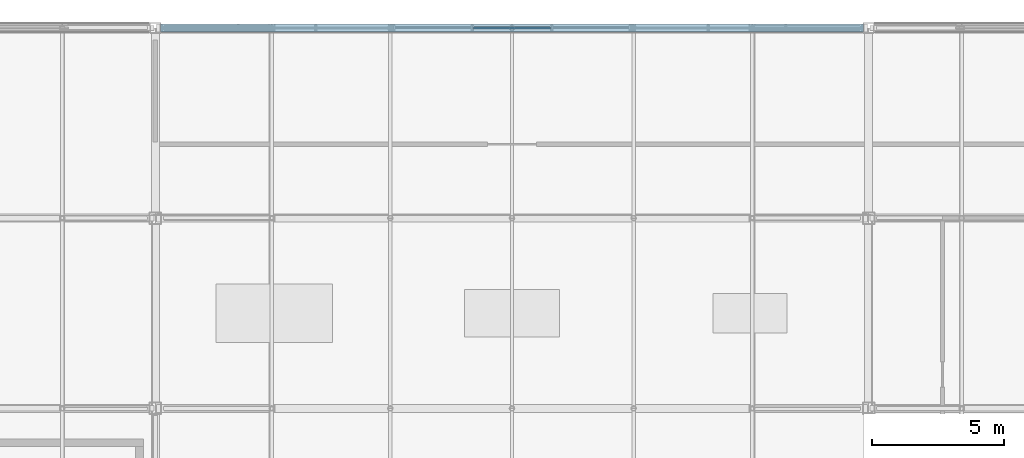
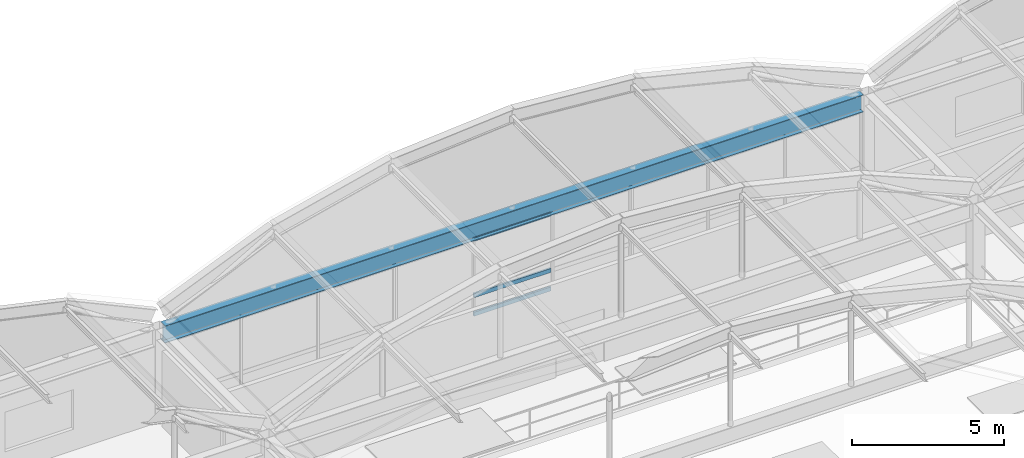
# One storey, part 65 of 106: 3 members, 1 beam, 1 element without a shape of its own.
"""IFC4 building model written with IfcOpenShell, lengths in metres."""

from ifc_helpers import new_model, si_unit, direction, frame, origin, origin_2d, place, context, subcontext, project, spatial, hollow_rectangle, i_section, extrude, material, material_profile, profile_set, type_object, element, aggregate, save


model = new_model("IFC4")

# Units and contexts
model_context = context("Model", 3, precision=1e-05, world=origin(), true_north=direction((0.0, 1.0)))
body_context = subcontext(model_context, "Body", "Model", "MODEL_VIEW")
ifc_project = project(units=[si_unit("LENGTHUNIT", "METRE"), si_unit("AREAUNIT", "SQUARE_METRE"), si_unit("VOLUMEUNIT", "CUBIC_METRE"), si_unit("PLANEANGLEUNIT", "RADIAN"), si_unit("MASSUNIT", "GRAM", prefix="KILO")], contexts=[model_context])

# Site, building, storey
site_placement = place(None, origin())
site = spatial("IfcSite", under=ifc_project, at=site_placement, CompositionType="ELEMENT")
building_placement = place(site_placement, origin())
building = spatial("IfcBuilding", under=site, at=building_placement, Name="Kazanami Central Library", CompositionType="ELEMENT")
storey_placement = place(building_placement, frame((0.0, 0.0, 12.800048828125)))
storey = spatial("IfcBuildingStorey", under=building, at=storey_placement, Name="L04", CompositionType="ELEMENT", Elevation=12.800048828125)

# Beam
ifc_material_1 = material(Name="Steel SN490B (325 MPa)", Category="steel")
ifc_material_profile_1 = material_profile(ifc_material_1, i_section(OverallWidth=0.300048828125, OverallDepth=0.699951171875, WebThickness=0.012939453125, FlangeThickness=0.02392578125, at=origin_2d()), Name="H-700x300x13x24")
ifc_profile_set_1 = profile_set([ifc_material_profile_1], Name="Steel SN490B (325 MPa)")
beam_type = type_object("IfcBeamType", Name="BM-G-AT", PredefinedType="BEAM", material=ifc_profile_set_1)
beam_placement = place(storey_placement, frame((63.197998046875, 93.60009765625, 3.429931640625), z_axis=(1.0, 0.0, 0.0), x_axis=(0.0, 1.0, 0.0)))
element("IfcBeam", 1, at=beam_placement, inside=storey, type_object=beam_type, Name="Barrel Vault Springing Tie Girder G-AT L04 C Grid O", PredefinedType="BEAM", context=body_context, shape_type="SweptSolid", body=[
    extrude(i_section(OverallWidth=0.300048828125, OverallDepth=0.699951171875, WebThickness=0.012939453125, FlangeThickness=0.02392578125, at=origin_2d()), origin(), (0.0, 0.0, 1.0), 26.60400390625),
])

# Curtain wall, members
ifc_material_2 = material(Name="Acid-Etched Low-E Laminated Glass", Category="glass")
curtain_wall_type = type_object("IfcCurtainWallType", Name="CW-9000x3080-M275", PredefinedType="USERDEFINED", material=ifc_material_2)
curtain_wall_placement = place(storey_placement, origin())
curtain_wall = element("IfcCurtainWall", 2, at=curtain_wall_placement, inside=storey, type_object=curtain_wall_type, Name="Unitised Curtain Wall CW-41 L04 N-O-08", ObjectType="UNITISED CURTAIN WALL", PredefinedType="USERDEFINED")
ifc_material_3 = material(Name="Anodised Aluminium A6063-T5", Category="aluminium")
ifc_material_profile_2 = material_profile(ifc_material_3, hollow_rectangle(XDim=0.070068359375, YDim=0.159912109375, WallThickness=0.00390625, at=origin_2d()), Name="ALU-TRAN-70x160x4")
ifc_profile_set_2 = profile_set([ifc_material_profile_2], Name="Anodised Aluminium A6063-T5")
member_type = type_object("IfcMemberType", Name="MEM-CW-T1", PredefinedType="USERDEFINED", material=ifc_profile_set_2)
member_1_placement = place(storey_placement, frame((77.965087890625, 93.60009765625, 0.034912109375), z_axis=(-1.0, 0.0, 0.0), x_axis=(0.0, -1.0, 0.0)))
member_1 = element("IfcMember", 3, at=member_1_placement, type_object=member_type, Name="CW-41 transom 2.1", ObjectType="TRANSOM", PredefinedType="USERDEFINED", context=body_context, shape_type="SweptSolid", body=[
    extrude(hollow_rectangle(XDim=0.070068359375, YDim=0.159912109375, WallThickness=0.00390625, at=origin_2d()), origin(), (0.0, 0.0, 1.0), 2.93017578125),
])
member_2_placement = place(storey_placement, frame((77.965087890625, 93.60009765625, 0.780029296875), z_axis=(-1.0, 0.0, 0.0), x_axis=(0.0, -1.0, 0.0)))
member_2 = element("IfcMember", 4, at=member_2_placement, type_object=member_type, Name="CW-41 transom 2.2", ObjectType="TRANSOM", PredefinedType="USERDEFINED", context=body_context, shape_type="SweptSolid", body=[
    extrude(hollow_rectangle(XDim=0.070068359375, YDim=0.159912109375, WallThickness=0.00390625, at=origin_2d()), origin(), (0.0, 0.0, 1.0), 2.93017578125),
])
member_3_placement = place(storey_placement, frame((77.965087890625, 93.60009765625, 3.044921875), z_axis=(-1.0, 0.0, 0.0), x_axis=(0.0, -1.0, 0.0)))
member_3 = element("IfcMember", 5, at=member_3_placement, type_object=member_type, Name="CW-41 transom 2.3", ObjectType="TRANSOM", PredefinedType="USERDEFINED", context=body_context, shape_type="SweptSolid", body=[
    extrude(hollow_rectangle(XDim=0.070068359375, YDim=0.159912109375, WallThickness=0.00390625, at=origin_2d()), origin(), (0.0, 0.0, 1.0), 2.93017578125),
])
aggregate(curtain_wall, [member_1, member_2, member_3])

save(model, "model.ifc")
